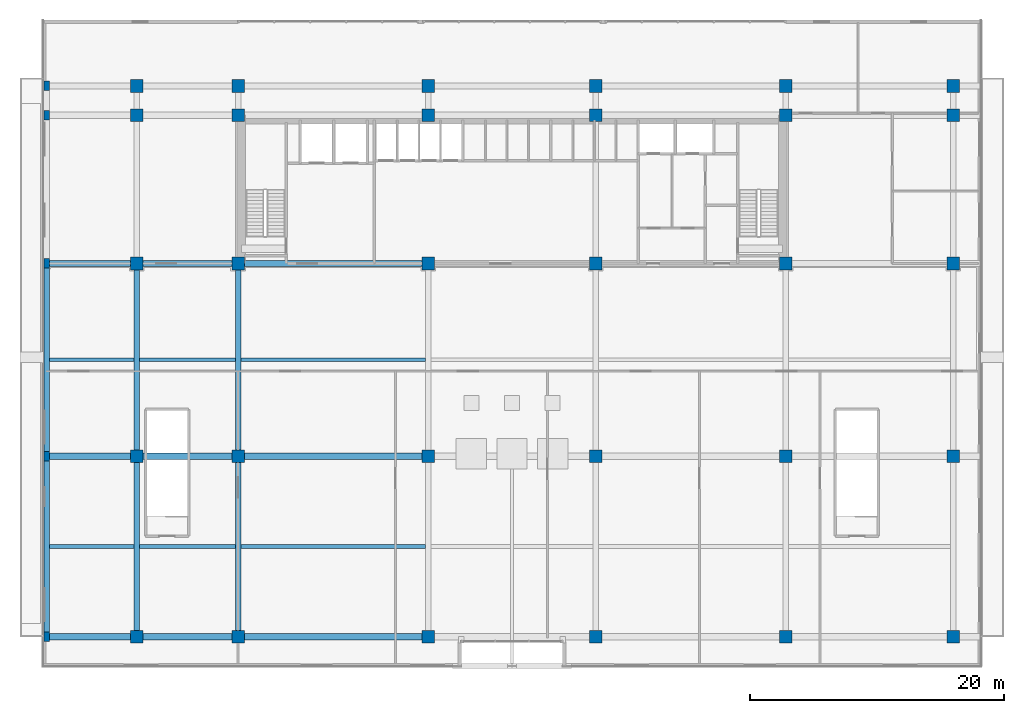
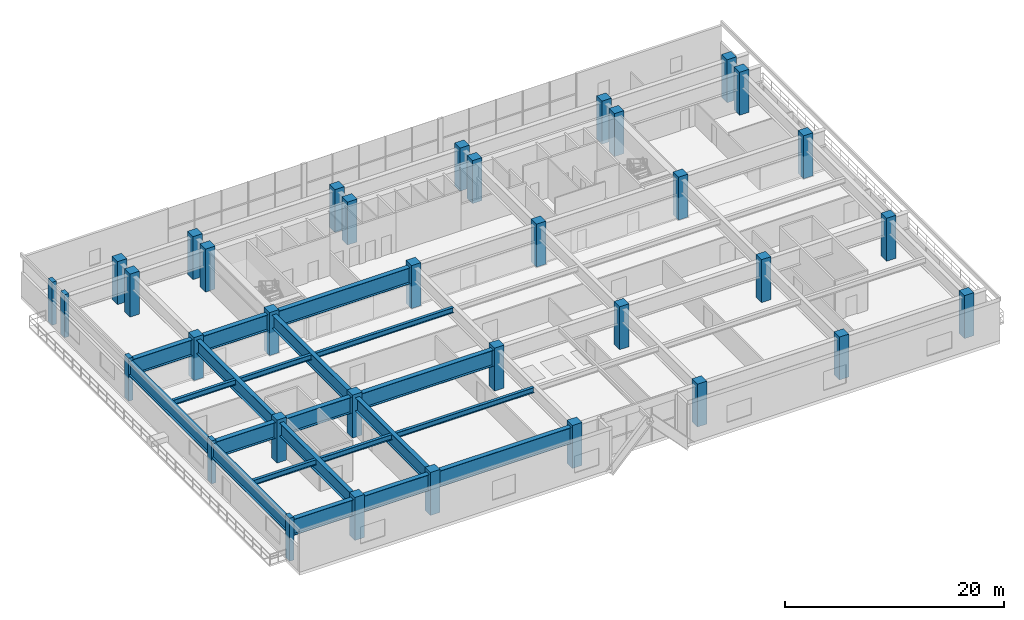
# One storey, part 1 of 17: 35 columns, 21 beams.
"""IFC4 building model written with IfcOpenShell, lengths in metres."""

from ifc_helpers import new_model, si_unit, direction, frame, origin, origin_2d, place, context, subcontext, project, spatial, rectangle, i_section, extrude, source, transform, mapped, material, material_profile, profile_set, type_object, element, save


model = new_model("IFC4")

# Units and contexts
model_context = context("Model", 3, precision=1e-05, world=origin(), true_north=direction((0.0, 1.0)))
body_context = subcontext(model_context, "Body", "Model", "MODEL_VIEW")
ifc_project = project(units=[si_unit("LENGTHUNIT", "METRE"), si_unit("AREAUNIT", "SQUARE_METRE"), si_unit("VOLUMEUNIT", "CUBIC_METRE"), si_unit("PLANEANGLEUNIT", "RADIAN"), si_unit("MASSUNIT", "GRAM", prefix="KILO")], contexts=[model_context])

# Site, building, storey
site_placement = place(None, origin())
site = spatial("IfcSite", under=ifc_project, at=site_placement, CompositionType="ELEMENT")
building_placement = place(site_placement, origin())
building = spatial("IfcBuilding", under=site, at=building_placement, Name="Trelvane Seafront Commons", CompositionType="ELEMENT")
storey_placement = place(building_placement, frame((0.0, 0.0, 18.699951171875)))
storey = spatial("IfcBuildingStorey", under=building, at=storey_placement, Name="L04", CompositionType="ELEMENT", Elevation=18.699951171875)

# Columns
ifc_material_1 = material(Name="Concrete C50/60", Category="concrete")
ifc_material_profile_1 = material_profile(ifc_material_1, rectangle(XDim=0.449951171875, YDim=0.75, at=origin_2d()), Name="RC-450x750")
ifc_profile_set_1 = profile_set([ifc_material_profile_1], Name="Concrete C50/60")
column_type_1 = type_object("IfcColumnType", Name="STR-PIL-RC450x750", PredefinedType="PILASTER", material=ifc_profile_set_1)
shared_shape_1 = source(origin(), body_context, "Body", "SweptSolid", [
    extrude(rectangle(XDim=0.449951171875, YDim=0.75, at=origin_2d()), origin(), (0.0, 0.0, 1.0), 4.800048828125),
])
for number, where, z_axis, x_axis, name in (
    (1, (0.5, 3.949951171875, 0.0), (0.0, 0.0, 1.0), (1.0, 0.0, 0.0), "L04 Column PC-1-1"),
    (2, (0.5, 18.199951171875, 0.0), (0.0, 0.0, 1.0), (1.0, 0.0, 0.0), "L04 Column PC-1-2"),
    (3, (0.5, 33.39990234375, 0.0), (0.0, 0.0, 1.0), (1.0, 0.0, 0.0), "L04 Column PC-1-3"),
    (4, (0.5, 45.10009765625, 0.0), (0.0, 0.0, 1.0), (1.0, 0.0, 0.0), "L04 Column PC-1-4"),
    (5, (0.5, 47.39990234375, 0.0), (0.0, 0.0, 1.0), (1.0, 0.0, 0.0), "L04 Column PC-1-5"),
):
    element("IfcColumn", number, at=place(storey_placement, frame(where, z_axis=z_axis, x_axis=x_axis)), inside=storey, type_object=column_type_1, Name=name, PredefinedType="PILASTER", context=body_context, shape_type="MappedRepresentation", body=[
        mapped(shared_shape_1, transform((0.0, 0.0, 0.0), x_axis=(1.0, 0.0, 0.0), y_axis=(0.0, 1.0, 0.0), z_axis=(0.0, 0.0, 1.0), scale=1.0)),
    ])
ifc_material_2 = material(Name="Concrete C60/75", Category="concrete")
ifc_material_profile_2 = material_profile(ifc_material_2, rectangle(XDim=1.0, YDim=1.0, at=origin_2d()), Name="RC-1000x1000")
ifc_profile_set_2 = profile_set([ifc_material_profile_2], Name="Concrete C60/75")
column_type_2 = type_object("IfcColumnType", Name="STR-COL-RC1000", PredefinedType="COLUMN", material=ifc_profile_set_2)
shared_shape_2 = source(origin(), body_context, "Body", "SweptSolid", [
    extrude(rectangle(XDim=1.0, YDim=1.0, at=origin_2d()), origin(), (0.0, 0.0, 1.0), 4.800048828125),
])
for number, where, z_axis, x_axis, name in (
    (6, (7.60009765625, 3.949951171875, 0.0), (0.0, 0.0, 1.0), (1.0, 0.0, 0.0), "L04 Column PC-2-1"),
    (7, (7.60009765625, 18.199951171875, 0.0), (0.0, 0.0, 1.0), (1.0, 0.0, 0.0), "L04 Column PC-2-2"),
    (8, (7.60009765625, 33.39990234375, 0.0), (0.0, 0.0, 1.0), (1.0, 0.0, 0.0), "L04 Column PC-2-3"),
    (9, (7.60009765625, 45.10009765625, 0.0), (0.0, 0.0, 1.0), (1.0, 0.0, 0.0), "L04 Column PC-2-4"),
    (10, (7.60009765625, 47.39990234375, 0.0), (0.0, 0.0, 1.0), (1.0, 0.0, 0.0), "L04 Column PC-2-5"),
    (11, (15.60009765625, 3.949951171875, 0.0), (0.0, 0.0, 1.0), (1.0, 0.0, 0.0), "L04 Column PC-3-1"),
    (12, (15.60009765625, 18.199951171875, 0.0), (0.0, 0.0, 1.0), (1.0, 0.0, 0.0), "L04 Column PC-3-2"),
    (13, (15.60009765625, 33.39990234375, 0.0), (0.0, 0.0, 1.0), (1.0, 0.0, 0.0), "L04 Column PC-3-3"),
    (14, (15.60009765625, 45.10009765625, 0.0), (0.0, 0.0, 1.0), (1.0, 0.0, 0.0), "L04 Column PC-3-4"),
    (15, (15.60009765625, 47.39990234375, 0.0), (0.0, 0.0, 1.0), (1.0, 0.0, 0.0), "L04 Column PC-3-5"),
    (16, (30.60009765625, 3.949951171875, 0.0), (0.0, 0.0, 1.0), (1.0, 0.0, 0.0), "L04 Column PC-4-1"),
    (17, (30.60009765625, 18.199951171875, 0.0), (0.0, 0.0, 1.0), (1.0, 0.0, 0.0), "L04 Column PC-4-2"),
    (18, (30.60009765625, 33.39990234375, 0.0), (0.0, 0.0, 1.0), (1.0, 0.0, 0.0), "L04 Column PC-4-3"),
    (19, (30.60009765625, 45.10009765625, 0.0), (0.0, 0.0, 1.0), (1.0, 0.0, 0.0), "L04 Column PC-4-4"),
    (20, (30.60009765625, 47.39990234375, 0.0), (0.0, 0.0, 1.0), (1.0, 0.0, 0.0), "L04 Column PC-4-5"),
    (21, (43.800048828125, 3.949951171875, 0.0), (0.0, 0.0, 1.0), (1.0, 0.0, 0.0), "L04 Column PC-5-1"),
    (22, (43.800048828125, 18.199951171875, 0.0), (0.0, 0.0, 1.0), (1.0, 0.0, 0.0), "L04 Column PC-5-2"),
    (23, (43.800048828125, 33.39990234375, 0.0), (0.0, 0.0, 1.0), (1.0, 0.0, 0.0), "L04 Column PC-5-3"),
    (24, (43.800048828125, 45.10009765625, 0.0), (0.0, 0.0, 1.0), (1.0, 0.0, 0.0), "L04 Column PC-5-4"),
    (25, (43.800048828125, 47.39990234375, 0.0), (0.0, 0.0, 1.0), (1.0, 0.0, 0.0), "L04 Column PC-5-5"),
    (26, (58.800048828125, 3.949951171875, 0.0), (0.0, 0.0, 1.0), (1.0, 0.0, 0.0), "L04 Column PC-6-1"),
    (27, (58.800048828125, 18.199951171875, 0.0), (0.0, 0.0, 1.0), (1.0, 0.0, 0.0), "L04 Column PC-6-2"),
    (28, (58.800048828125, 33.39990234375, 0.0), (0.0, 0.0, 1.0), (1.0, 0.0, 0.0), "L04 Column PC-6-3"),
    (29, (58.800048828125, 45.10009765625, 0.0), (0.0, 0.0, 1.0), (1.0, 0.0, 0.0), "L04 Column PC-6-4"),
    (30, (58.800048828125, 47.39990234375, 0.0), (0.0, 0.0, 1.0), (1.0, 0.0, 0.0), "L04 Column PC-6-5"),
    (31, (72.0, 3.949951171875, 0.0), (0.0, 0.0, 1.0), (1.0, 0.0, 0.0), "L04 Column PC-7-1"),
    (32, (72.0, 18.199951171875, 0.0), (0.0, 0.0, 1.0), (1.0, 0.0, 0.0), "L04 Column PC-7-2"),
    (33, (72.0, 33.39990234375, 0.0), (0.0, 0.0, 1.0), (1.0, 0.0, 0.0), "L04 Column PC-7-3"),
    (34, (72.0, 45.10009765625, 0.0), (0.0, 0.0, 1.0), (1.0, 0.0, 0.0), "L04 Column PC-7-4"),
    (35, (72.0, 47.39990234375, 0.0), (0.0, 0.0, 1.0), (1.0, 0.0, 0.0), "L04 Column PC-7-5"),
):
    element("IfcColumn", number, at=place(storey_placement, frame(where, z_axis=z_axis, x_axis=x_axis)), inside=storey, type_object=column_type_2, Name=name, PredefinedType="COLUMN", context=body_context, shape_type="MappedRepresentation", body=[
        mapped(shared_shape_2, transform((0.0, 0.0, 0.0), x_axis=(1.0, 0.0, 0.0), y_axis=(0.0, 1.0, 0.0), z_axis=(0.0, 0.0, 1.0), scale=1.0)),
    ])

# Beams
ifc_material_3 = material(Name="Steel SM355 (S355)", Category="steel")
ifc_material_profile_3 = material_profile(ifc_material_3, i_section(OverallWidth=0.5, OverallDepth=1.800048828125, WebThickness=0.02392578125, FlangeThickness=0.0400390625, at=origin_2d()), Name="W-1800x500x24x40")
ifc_profile_set_3 = profile_set([ifc_material_profile_3], Name="Steel SM355 (S355)")
beam_type_1 = type_object("IfcBeamType", Name="STR-TRG-W1800", PredefinedType="BEAM", material=ifc_profile_set_3)
shared_shape_3 = source(origin(), body_context, "Body", "SweptSolid", [
    extrude(i_section(OverallWidth=0.5, OverallDepth=1.800048828125, WebThickness=0.02392578125, FlangeThickness=0.0400390625, at=origin_2d()), origin(), (0.0, 0.0, 1.0), 7.099853515625),
])
for number, where, z_axis, x_axis, name in (
    (36, (0.35009765625, 3.949951171875, 3.52001953125), (1.0, 0.0, 0.0), (0.0, 1.0, 0.0), "L04 Transfer Girder TG-01"),
    (37, (0.35009765625, 18.199951171875, 3.52001953125), (1.0, 0.0, 0.0), (0.0, 1.0, 0.0), "L04 Transfer Girder TG-07"),
    (38, (0.35009765625, 33.39990234375, 3.52001953125), (1.0, 0.0, 0.0), (0.0, 1.0, 0.0), "L04 Transfer Girder TG-13"),
):
    element("IfcBeam", number, at=place(storey_placement, frame(where, z_axis=z_axis, x_axis=x_axis)), inside=storey, type_object=beam_type_1, Name=name, PredefinedType="BEAM", context=body_context, shape_type="MappedRepresentation", body=[
        mapped(shared_shape_3, transform((0.0, 0.0, 0.0), x_axis=(1.0, 0.0, 0.0), y_axis=(0.0, 1.0, 0.0), z_axis=(0.0, 0.0, 1.0), scale=1.0)),
    ])
shared_shape_4 = source(origin(), body_context, "Body", "SweptSolid", [
    extrude(i_section(OverallWidth=0.5, OverallDepth=1.800048828125, WebThickness=0.02392578125, FlangeThickness=0.0400390625, at=origin_2d()), origin(), (0.0, 0.0, 1.0), 7.699951171875),
])
for number, where, z_axis, x_axis, name in (
    (39, (7.75, 3.949951171875, 3.52001953125), (1.0, 0.0, 0.0), (0.0, 1.0, 0.0), "L04 Transfer Girder TG-02"),
    (40, (7.75, 18.199951171875, 3.52001953125), (1.0, 0.0, 0.0), (0.0, 1.0, 0.0), "L04 Transfer Girder TG-08"),
    (41, (7.75, 33.39990234375, 3.52001953125), (1.0, 0.0, 0.0), (0.0, 1.0, 0.0), "L04 Transfer Girder TG-14"),
):
    element("IfcBeam", number, at=place(storey_placement, frame(where, z_axis=z_axis, x_axis=x_axis)), inside=storey, type_object=beam_type_1, Name=name, PredefinedType="BEAM", context=body_context, shape_type="MappedRepresentation", body=[
        mapped(shared_shape_4, transform((0.0, 0.0, 0.0), x_axis=(1.0, 0.0, 0.0), y_axis=(0.0, 1.0, 0.0), z_axis=(0.0, 0.0, 1.0), scale=1.0)),
    ])
shared_shape_5 = source(origin(), body_context, "Body", "SweptSolid", [
    extrude(i_section(OverallWidth=0.5, OverallDepth=1.800048828125, WebThickness=0.02392578125, FlangeThickness=0.0400390625, at=origin_2d()), origin(), (0.0, 0.0, 1.0), 14.699951171875),
])
for number, where, z_axis, x_axis, name in (
    (42, (15.75, 3.949951171875, 3.52001953125), (1.0, 0.0, 0.0), (0.0, 1.0, 0.0), "L04 Transfer Girder TG-03"),
    (43, (15.75, 18.199951171875, 3.52001953125), (1.0, 0.0, 0.0), (0.0, 1.0, 0.0), "L04 Transfer Girder TG-09"),
    (44, (15.75, 33.39990234375, 3.52001953125), (1.0, 0.0, 0.0), (0.0, 1.0, 0.0), "L04 Transfer Girder TG-15"),
):
    element("IfcBeam", number, at=place(storey_placement, frame(where, z_axis=z_axis, x_axis=x_axis)), inside=storey, type_object=beam_type_1, Name=name, PredefinedType="BEAM", context=body_context, shape_type="MappedRepresentation", body=[
        mapped(shared_shape_5, transform((0.0, 0.0, 0.0), x_axis=(1.0, 0.0, 0.0), y_axis=(0.0, 1.0, 0.0), z_axis=(0.0, 0.0, 1.0), scale=1.0)),
    ])
ifc_material_profile_4 = material_profile(ifc_material_3, i_section(OverallWidth=0.449951171875, OverallDepth=1.5, WebThickness=0.02197265625, FlangeThickness=0.0380859375, at=origin_2d()), Name="W-1500x450x22x38")
ifc_profile_set_4 = profile_set([ifc_material_profile_4], Name="Steel SM355 (S355)")
beam_type_2 = type_object("IfcBeamType", Name="STR-TRG-W1500", PredefinedType="BEAM", material=ifc_profile_set_4)
shared_shape_6 = source(origin(), body_context, "Body", "SweptSolid", [
    extrude(i_section(OverallWidth=0.449951171875, OverallDepth=1.5, WebThickness=0.02197265625, FlangeThickness=0.0380859375, at=origin_2d()), origin(), (0.0, 0.0, 1.0), 13.949951171875),
])
for number, where, z_axis, x_axis, name in (
    (45, (0.5, 4.10009765625, 3.670166015625), (0.0, 1.0, 0.0), (-1.0, 0.0, 0.0), "L04 Transfer Girder TG-31"),
    (46, (7.60009765625, 4.10009765625, 3.670166015625), (0.0, 1.0, 0.0), (-1.0, 0.0, 0.0), "L04 Transfer Girder TG-35"),
    (47, (15.60009765625, 4.10009765625, 3.670166015625), (0.0, 1.0, 0.0), (-1.0, 0.0, 0.0), "L04 Transfer Girder TG-39"),
):
    element("IfcBeam", number, at=place(storey_placement, frame(where, z_axis=z_axis, x_axis=x_axis)), inside=storey, type_object=beam_type_2, Name=name, PredefinedType="BEAM", context=body_context, shape_type="MappedRepresentation", body=[
        mapped(shared_shape_6, transform((0.0, 0.0, 0.0), x_axis=(1.0, 0.0, 0.0), y_axis=(0.0, 1.0, 0.0), z_axis=(0.0, 0.0, 1.0), scale=1.0)),
    ])
shared_shape_7 = source(origin(), body_context, "Body", "SweptSolid", [
    extrude(i_section(OverallWidth=0.449951171875, OverallDepth=1.5, WebThickness=0.02197265625, FlangeThickness=0.0380859375, at=origin_2d()), origin(), (0.0, 0.0, 1.0), 14.89990234375),
])
for number, where, z_axis, x_axis, name in (
    (48, (0.5, 18.35009765625, 3.670166015625), (0.0, 1.0, 0.0), (-1.0, 0.0, 0.0), "L04 Transfer Girder TG-32"),
    (49, (7.60009765625, 18.35009765625, 3.670166015625), (0.0, 1.0, 0.0), (-1.0, 0.0, 0.0), "L04 Transfer Girder TG-36"),
    (50, (15.60009765625, 18.35009765625, 3.670166015625), (0.0, 1.0, 0.0), (-1.0, 0.0, 0.0), "L04 Transfer Girder TG-40"),
):
    element("IfcBeam", number, at=place(storey_placement, frame(where, z_axis=z_axis, x_axis=x_axis)), inside=storey, type_object=beam_type_2, Name=name, PredefinedType="BEAM", context=body_context, shape_type="MappedRepresentation", body=[
        mapped(shared_shape_7, transform((0.0, 0.0, 0.0), x_axis=(1.0, 0.0, 0.0), y_axis=(0.0, 1.0, 0.0), z_axis=(0.0, 0.0, 1.0), scale=1.0)),
    ])
ifc_material_profile_5 = material_profile(ifc_material_3, i_section(OverallWidth=0.300048828125, OverallDepth=0.587890625, WebThickness=0.011962890625, FlangeThickness=0.02001953125, at=origin_2d()), Name="H-588x300x12x20")
ifc_profile_set_5 = profile_set([ifc_material_profile_5], Name="Steel SM355 (S355)")
beam_type_3 = type_object("IfcBeamType", Name="STR-BM-H588", PredefinedType="BEAM", material=ifc_profile_set_5)
shared_shape_8 = source(origin(), body_context, "Body", "SweptSolid", [
    extrude(i_section(OverallWidth=0.300048828125, OverallDepth=0.587890625, WebThickness=0.011962890625, FlangeThickness=0.02001953125, at=origin_2d()), origin(), (0.0, 0.0, 1.0), 6.64990234375),
])
for number, where, z_axis, x_axis, name in (
    (51, (0.72509765625, 11.074951171875, 4.1259765625), (1.0, 0.0, 0.0), (0.0, 1.0, 0.0), "L04 Secondary Floor Joist B-59"),
    (52, (0.72509765625, 25.800048828125, 4.1259765625), (1.0, 0.0, 0.0), (0.0, 1.0, 0.0), "L04 Secondary Floor Joist B-65"),
):
    element("IfcBeam", number, at=place(storey_placement, frame(where, z_axis=z_axis, x_axis=x_axis)), inside=storey, type_object=beam_type_3, Name=name, PredefinedType="BEAM", context=body_context, shape_type="MappedRepresentation", body=[
        mapped(shared_shape_8, transform((0.0, 0.0, 0.0), x_axis=(1.0, 0.0, 0.0), y_axis=(0.0, 1.0, 0.0), z_axis=(0.0, 0.0, 1.0), scale=1.0)),
    ])
shared_shape_9 = source(origin(), body_context, "Body", "SweptSolid", [
    extrude(i_section(OverallWidth=0.300048828125, OverallDepth=0.587890625, WebThickness=0.011962890625, FlangeThickness=0.02001953125, at=origin_2d()), origin(), (0.0, 0.0, 1.0), 7.550048828125),
])
for number, where, z_axis, x_axis, name in (
    (53, (7.824951171875, 11.074951171875, 4.1259765625), (1.0, 0.0, 0.0), (0.0, 1.0, 0.0), "L04 Secondary Floor Joist B-60"),
    (54, (7.824951171875, 25.800048828125, 4.1259765625), (1.0, 0.0, 0.0), (0.0, 1.0, 0.0), "L04 Secondary Floor Joist B-66"),
):
    element("IfcBeam", number, at=place(storey_placement, frame(where, z_axis=z_axis, x_axis=x_axis)), inside=storey, type_object=beam_type_3, Name=name, PredefinedType="BEAM", context=body_context, shape_type="MappedRepresentation", body=[
        mapped(shared_shape_9, transform((0.0, 0.0, 0.0), x_axis=(1.0, 0.0, 0.0), y_axis=(0.0, 1.0, 0.0), z_axis=(0.0, 0.0, 1.0), scale=1.0)),
    ])
shared_shape_10 = source(origin(), body_context, "Body", "SweptSolid", [
    extrude(i_section(OverallWidth=0.300048828125, OverallDepth=0.587890625, WebThickness=0.011962890625, FlangeThickness=0.02001953125, at=origin_2d()), origin(), (0.0, 0.0, 1.0), 14.550048828125),
])
for number, where, z_axis, x_axis, name in (
    (55, (15.824951171875, 11.074951171875, 4.1259765625), (1.0, 0.0, 0.0), (0.0, 1.0, 0.0), "L04 Secondary Floor Joist B-61"),
    (56, (15.824951171875, 25.800048828125, 4.1259765625), (1.0, 0.0, 0.0), (0.0, 1.0, 0.0), "L04 Secondary Floor Joist B-67"),
):
    element("IfcBeam", number, at=place(storey_placement, frame(where, z_axis=z_axis, x_axis=x_axis)), inside=storey, type_object=beam_type_3, Name=name, PredefinedType="BEAM", context=body_context, shape_type="MappedRepresentation", body=[
        mapped(shared_shape_10, transform((0.0, 0.0, 0.0), x_axis=(1.0, 0.0, 0.0), y_axis=(0.0, 1.0, 0.0), z_axis=(0.0, 0.0, 1.0), scale=1.0)),
    ])

save(model, "model.ifc")
